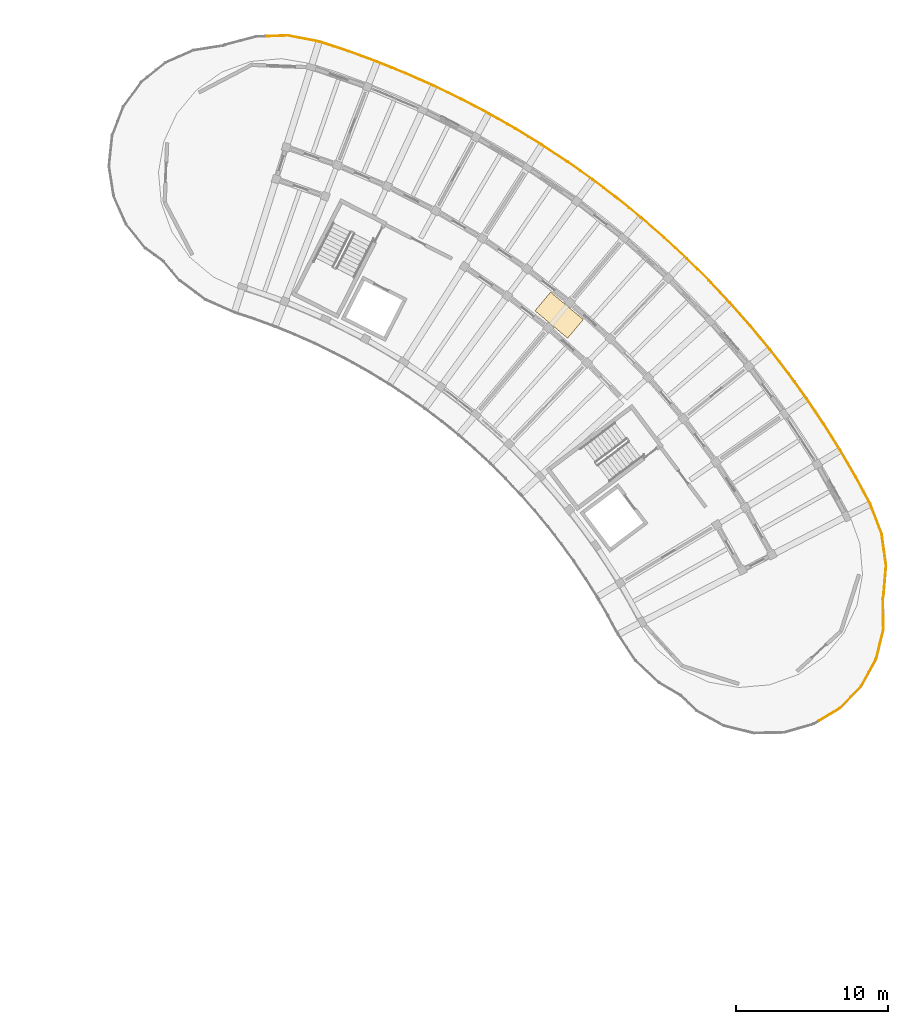
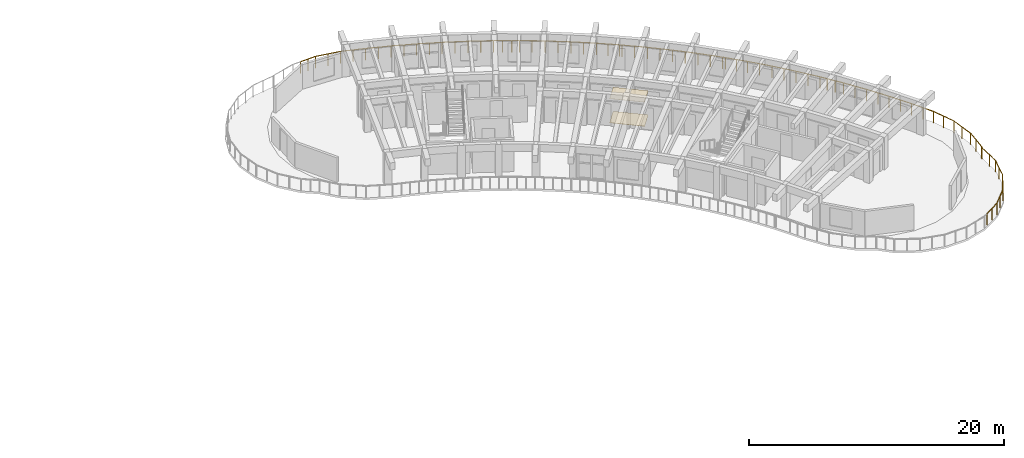
# One storey, part 36 of 36: 8 railings, 2 coverings.
"""IFC4 building model written with IfcOpenShell, lengths in metres."""

from ifc_helpers import new_model, si_unit, direction, frame, origin, origin_2d, place, context, subcontext, project, spatial, rectangle, circle, extrude, material, layer, layer_set, type_object, element, save


model = new_model("IFC4")

# Units and contexts
model_context = context("Model", 3, precision=1e-05, world=origin(), true_north=direction((0.0, 1.0)))
body_context = subcontext(model_context, "Body", "Model", "MODEL_VIEW")
ifc_project = project(units=[si_unit("LENGTHUNIT", "METRE"), si_unit("AREAUNIT", "SQUARE_METRE"), si_unit("VOLUMEUNIT", "CUBIC_METRE"), si_unit("PLANEANGLEUNIT", "RADIAN"), si_unit("MASSUNIT", "GRAM", prefix="KILO")], contexts=[model_context])

# Site, building, storey
site_placement = place(None, origin())
site = spatial("IfcSite", under=ifc_project, at=site_placement, CompositionType="ELEMENT")
building_placement = place(site_placement, origin())
building = spatial("IfcBuilding", under=site, at=building_placement, Name="Tanwirah Colonnade Gardens", CompositionType="ELEMENT")
storey_placement = place(building_placement, frame((0.0, 0.0, 39.080078125)))
storey = spatial("IfcBuildingStorey", under=building, at=storey_placement, Name="L11", CompositionType="ELEMENT", Elevation=39.080078125)

# Railings
ifc_material_1 = material(Name="Precast concrete C40/50", Category="concrete")
railing_type = type_object("IfcRailingType", Name="BAL-EXT112", PredefinedType="BALUSTRADE", material=ifc_material_1)
railing_1_placement = place(storey_placement, frame((135.85986328125, 119.083251953125, 0.0)))
element("IfcRailing", 1, at=railing_1_placement, inside=storey, type_object=railing_type, Name="Block B L11 Balcony Ribbon Balustrade 9", PredefinedType="BALUSTRADE", context=body_context, shape_type="SweptSolid", body=[
    extrude(circle(Radius=0.02392578125, at=origin_2d()), frame((0.03125, 0.0009765625, 1.09619140625), z_axis=(0.999418716474, 0.03409148225, 0.0), x_axis=(-0.03409148225, 0.999418716474, 0.0)), (0.0, 0.0, 1.0), 1.298095703125),
    extrude(circle(Radius=0.02392578125, at=origin_2d()), frame((1.390625, 0.04052734375, 1.09619140625), z_axis=(0.981943925546, -0.18917221541, 0.0), x_axis=(0.18917221541, 0.981943925546, 0.0)), (0.0, 0.0, 1.0), 2.0283203125),
    extrude(circle(Radius=0.02392578125, at=origin_2d()), frame((3.442626953125, -0.35888671875, 1.09619140625), z_axis=(0.949538943768, -0.313649157926, 0.0), x_axis=(0.313649157926, 0.949538943768, 0.0)), (0.0, 0.0, 1.0), 1.955078125),
    extrude(circle(Radius=0.02392578125, at=origin_2d()), frame((5.35791015625, -0.99267578125, 1.09619140625), z_axis=(0.938723993457, -0.344669789956, 0.0), x_axis=(0.344669789956, 0.938723993457, 0.0)), (0.0, 0.0, 1.0), 1.958984375),
    extrude(circle(Radius=0.02392578125, at=origin_2d()), frame((7.25537109375, -1.6904296875, 1.09619140625), z_axis=(0.926782504393, -0.37559844189, 0.0), x_axis=(0.37559844189, 0.926782504393, 0.0)), (0.0, 0.0, 1.0), 0.947021484375),
    extrude(circle(Radius=0.02099609375, at=origin_2d()), origin(), (0.0, 0.0, 1.0), 1.069091796875),
    extrude(circle(Radius=0.02099609375, at=origin_2d()), frame((0.679931640625, 0.023193359375, 0.0)), (0.0, 0.0, 1.0), 1.069091796875),
    extrude(circle(Radius=0.02099609375, at=origin_2d()), frame((1.35986328125, 0.04638671875, 0.0)), (0.0, 0.0, 1.0), 1.069091796875),
    extrude(circle(Radius=0.02099609375, at=origin_2d()), frame((2.38623046875, -0.1513671875, 0.0)), (0.0, 0.0, 1.0), 1.069091796875),
    extrude(circle(Radius=0.02099609375, at=origin_2d()), frame((3.412841796875, -0.34912109375, 0.0)), (0.0, 0.0, 1.0), 1.069091796875),
    extrude(circle(Radius=0.02099609375, at=origin_2d()), frame((4.37060546875, -0.66552734375, 0.0)), (0.0, 0.0, 1.0), 1.069091796875),
    extrude(circle(Radius=0.02099609375, at=origin_2d()), frame((5.32861328125, -0.98193359375, 0.0)), (0.0, 0.0, 1.0), 1.069091796875),
    extrude(circle(Radius=0.02099609375, at=origin_2d()), frame((6.27734375, -1.330322265625, 0.0)), (0.0, 0.0, 1.0), 1.069091796875),
    extrude(circle(Radius=0.02099609375, at=origin_2d()), frame((7.226318359375, -1.6787109375, 0.0)), (0.0, 0.0, 1.0), 1.069091796875),
    extrude(circle(Radius=0.02099609375, at=origin_2d()), frame((8.161865234375, -2.057861328125, 0.0)), (0.0, 0.0, 1.0), 1.069091796875),
])
railing_2_placement = place(storey_placement, frame((144.021728515625, 117.025390625, 0.0)))
element("IfcRailing", 2, at=railing_2_placement, inside=storey, type_object=railing_type, Name="Block B L11 Balcony Ribbon Balustrade 10", PredefinedType="BALUSTRADE", context=body_context, shape_type="SweptSolid", body=[
    extrude(circle(Radius=0.02392578125, at=origin_2d()), frame((0.029052734375, -0.01171875, 1.09619140625), z_axis=(0.926786930723, -0.375587519816, 0.0), x_axis=(0.375587519816, 0.926786930723, 0.0)), (0.0, 0.0, 1.0), 0.949462890625),
    extrude(circle(Radius=0.02392578125, at=origin_2d()), frame((0.966552734375, -0.392822265625, 1.09619140625), z_axis=(0.913950953394, -0.405824660156, 0.0), x_axis=(0.405824660156, 0.913950953394, 0.0)), (0.0, 0.0, 1.0), 1.958740234375),
    extrude(circle(Radius=0.02392578125, at=origin_2d()), frame((2.8134765625, -1.214111328125, 1.09619140625), z_axis=(0.900055350621, -0.435775591122, 0.0), x_axis=(0.435775591122, 0.900055350621, 0.0)), (0.0, 0.0, 1.0), 1.958740234375),
    extrude(circle(Radius=0.02392578125, at=origin_2d()), frame((4.63232421875, -2.095947265625, 1.09619140625), z_axis=(0.885211446817, -0.465188880374, 0.0), x_axis=(0.465188880374, 0.885211446817, 0.0)), (0.0, 0.0, 1.0), 1.958984375),
    extrude(circle(Radius=0.02392578125, at=origin_2d()), frame((6.42138671875, -3.037109375, 1.09619140625), z_axis=(0.869433120242, -0.494050654717, 0.0), x_axis=(0.494050654717, 0.869433120242, 0.0)), (0.0, 0.0, 1.0), 1.361083984375),
    extrude(circle(Radius=0.02099609375, at=origin_2d()), origin(), (0.0, 0.0, 1.0), 1.069091796875),
    extrude(circle(Radius=0.02099609375, at=origin_2d()), frame((0.93798828125, -0.380126953125, 0.0)), (0.0, 0.0, 1.0), 1.069091796875),
    extrude(circle(Radius=0.02099609375, at=origin_2d()), frame((1.86181640625, -0.790283203125, 0.0)), (0.0, 0.0, 1.0), 1.069091796875),
    extrude(circle(Radius=0.02099609375, at=origin_2d()), frame((2.785400390625, -1.200439453125, 0.0)), (0.0, 0.0, 1.0), 1.069091796875),
    extrude(circle(Radius=0.02099609375, at=origin_2d()), frame((3.695068359375, -1.640869140625, 0.0)), (0.0, 0.0, 1.0), 1.069091796875),
    extrude(circle(Radius=0.02099609375, at=origin_2d()), frame((4.604736328125, -2.081298828125, 0.0)), (0.0, 0.0, 1.0), 1.069091796875),
    extrude(circle(Radius=0.02099609375, at=origin_2d()), frame((5.49951171875, -2.551513671875, 0.0)), (0.0, 0.0, 1.0), 1.069091796875),
    extrude(circle(Radius=0.02099609375, at=origin_2d()), frame((6.394287109375, -3.021728515625, 0.0)), (0.0, 0.0, 1.0), 1.069091796875),
    extrude(circle(Radius=0.02099609375, at=origin_2d()), frame((7.01318359375, -3.37353515625, 0.0)), (0.0, 0.0, 1.0), 1.069091796875),
    extrude(circle(Radius=0.02099609375, at=origin_2d()), frame((7.632080078125, -3.72509765625, 0.0)), (0.0, 0.0, 1.0), 1.069091796875),
])
railing_3_placement = place(storey_placement, frame((151.65380859375, 113.30029296875, 0.0)))
element("IfcRailing", 3, at=railing_3_placement, inside=storey, type_object=railing_type, Name="Block B L11 Balcony Ribbon Balustrade 11", PredefinedType="BALUSTRADE", context=body_context, shape_type="SweptSolid", body=[
    extrude(circle(Radius=0.02392578125, at=origin_2d()), frame((0.027099609375, -0.015380859375, 1.09619140625), z_axis=(0.869297002413, -0.494290118853, 0.0), x_axis=(0.494290118853, 0.869297002413, 0.0)), (0.0, 0.0, 1.0), 0.53515625),
    extrude(circle(Radius=0.02392578125, at=origin_2d()), frame((0.546142578125, -0.311767578125, 1.09619140625), z_axis=(0.852660263329, -0.522465764754, 0.0), x_axis=(0.522465764754, 0.852660263329, 0.0)), (0.0, 0.0, 1.0), 1.958984375),
    extrude(circle(Radius=0.02392578125, at=origin_2d()), frame((2.269287109375, -1.36865234375, 1.09619140625), z_axis=(0.834955682369, -0.550317188973, 0.0), x_axis=(0.550317188973, 0.834955682369, 0.0)), (0.0, 0.0, 1.0), 1.959228515625),
    extrude(circle(Radius=0.02392578125, at=origin_2d()), frame((3.956787109375, -2.482177734375, 1.09619140625), z_axis=(0.816344803849, -0.577564854565, 0.0), x_axis=(0.577564854565, 0.816344803849, 0.0)), (0.0, 0.0, 1.0), 1.958740234375),
    extrude(circle(Radius=0.02392578125, at=origin_2d()), frame((5.606201171875, -3.650390625, 1.09619140625), z_axis=(0.796880910914, -0.604136419876, 0.0), x_axis=(0.604136419876, 0.796880910914, 0.0)), (0.0, 0.0, 1.0), 1.775390625),
    extrude(circle(Radius=0.02099609375, at=origin_2d()), origin(), (0.0, 0.0, 1.0), 1.069091796875),
    extrude(circle(Radius=0.02099609375, at=origin_2d()), frame((0.51953125, -0.29541015625, 0.0)), (0.0, 0.0, 1.0), 1.069091796875),
    extrude(circle(Radius=0.02099609375, at=origin_2d()), frame((1.38134765625, -0.823486328125, 0.0)), (0.0, 0.0, 1.0), 1.069091796875),
    extrude(circle(Radius=0.02099609375, at=origin_2d()), frame((2.2431640625, -1.3515625, 0.0)), (0.0, 0.0, 1.0), 1.069091796875),
    extrude(circle(Radius=0.02099609375, at=origin_2d()), frame((3.087158203125, -1.90771484375, 0.0)), (0.0, 0.0, 1.0), 1.069091796875),
    extrude(circle(Radius=0.02099609375, at=origin_2d()), frame((3.93115234375, -2.464111328125, 0.0)), (0.0, 0.0, 1.0), 1.069091796875),
    extrude(circle(Radius=0.02099609375, at=origin_2d()), frame((4.75634765625, -3.0478515625, 0.0)), (0.0, 0.0, 1.0), 1.069091796875),
    extrude(circle(Radius=0.02099609375, at=origin_2d()), frame((5.581298828125, -3.631591796875, 0.0)), (0.0, 0.0, 1.0), 1.069091796875),
    extrude(circle(Radius=0.02099609375, at=origin_2d()), frame((6.3134765625, -4.186767578125, 0.0)), (0.0, 0.0, 1.0), 1.069091796875),
    extrude(circle(Radius=0.02099609375, at=origin_2d()), frame((7.0458984375, -4.741943359375, 0.0)), (0.0, 0.0, 1.0), 1.069091796875),
])
railing_4_placement = place(storey_placement, frame((158.69970703125, 108.558349609375, 0.0)))
element("IfcRailing", 4, at=railing_4_placement, inside=storey, type_object=railing_type, Name="Block B L11 Balcony Ribbon Balustrade 12", PredefinedType="BALUSTRADE", context=body_context, shape_type="SweptSolid", body=[
    extrude(circle(Radius=0.02392578125, at=origin_2d()), frame((0.02490234375, -0.018798828125, 1.09619140625), z_axis=(0.796956285722, -0.604036984504, 0.0), x_axis=(0.604036984504, 0.796956285722, 0.0)), (0.0, 0.0, 1.0), 0.12109375),
    extrude(circle(Radius=0.02392578125, at=origin_2d()), frame((0.17041015625, -0.130615234375, 1.09619140625), z_axis=(0.776549722569, -0.630055972417, 0.0), x_axis=(0.630055972417, 0.776549722569, 0.0)), (0.0, 0.0, 1.0), 1.958984375),
    extrude(circle(Radius=0.02392578125, at=origin_2d()), frame((1.73974609375, -1.405029296875, 1.09619140625), z_axis=(0.755338292497, -0.655335077565, 0.0), x_axis=(0.655335077565, 0.755338292497, 0.0)), (0.0, 0.0, 1.0), 1.958984375),
    extrude(circle(Radius=0.02392578125, at=origin_2d()), frame((3.265869140625, -2.73046875, 1.09619140625), z_axis=(0.733352454033, -0.679848643569, 0.0), x_axis=(0.679848643569, 0.733352454033, 0.0)), (0.0, 0.0, 1.0), 1.958984375),
    extrude(circle(Radius=0.02392578125, at=origin_2d()), frame((4.74755859375, -4.10546875, 1.09619140625), z_axis=(0.710480209462, -0.703717181801, 0.0), x_axis=(0.703717181801, 0.710480209462, 0.0)), (0.0, 0.0, 1.0), 1.958984375),
    extrude(circle(Radius=0.02392578125, at=origin_2d()), frame((6.18310546875, -5.52880859375, 1.09619140625), z_axis=(0.687245165246, -0.72642555217, 0.0), x_axis=(0.72642555217, 0.687245165246, 0.0)), (0.0, 0.0, 1.0), 0.16796875),
    extrude(circle(Radius=0.02099609375, at=origin_2d()), origin(), (0.0, 0.0, 1.0), 1.069091796875),
    extrude(circle(Radius=0.02099609375, at=origin_2d()), frame((0.146240234375, -0.11083984375, 0.0)), (0.0, 0.0, 1.0), 1.069091796875),
    extrude(circle(Radius=0.02099609375, at=origin_2d()), frame((0.93115234375, -0.74755859375, 0.0)), (0.0, 0.0, 1.0), 1.069091796875),
    extrude(circle(Radius=0.02099609375, at=origin_2d()), frame((1.716064453125, -1.384521484375, 0.0)), (0.0, 0.0, 1.0), 1.069091796875),
    extrude(circle(Radius=0.02099609375, at=origin_2d()), frame((2.4794921875, -2.046875, 0.0)), (0.0, 0.0, 1.0), 1.069091796875),
    extrude(circle(Radius=0.02099609375, at=origin_2d()), frame((3.242919921875, -2.709228515625, 0.0)), (0.0, 0.0, 1.0), 1.069091796875),
    extrude(circle(Radius=0.02099609375, at=origin_2d()), frame((3.984130859375, -3.396484375, 0.0)), (0.0, 0.0, 1.0), 1.069091796875),
    extrude(circle(Radius=0.02099609375, at=origin_2d()), frame((4.725341796875, -4.08349609375, 0.0)), (0.0, 0.0, 1.0), 1.069091796875),
    extrude(circle(Radius=0.02099609375, at=origin_2d()), frame((5.443359375, -4.794921875, 0.0)), (0.0, 0.0, 1.0), 1.069091796875),
    extrude(circle(Radius=0.02099609375, at=origin_2d()), frame((6.16162109375, -5.506103515625, 0.0)), (0.0, 0.0, 1.0), 1.069091796875),
    extrude(circle(Radius=0.02099609375, at=origin_2d()), frame((6.320068359375, -5.673583984375, 0.0)), (0.0, 0.0, 1.0), 1.069091796875),
])
railing_5_placement = place(storey_placement, frame((165.019775390625, 102.884765625, 0.0)))
element("IfcRailing", 5, at=railing_5_placement, inside=storey, type_object=railing_type, Name="Block B L11 Balcony Ribbon Balustrade 13", PredefinedType="BALUSTRADE", context=body_context, shape_type="SweptSolid", body=[
    extrude(circle(Radius=0.02392578125, at=origin_2d()), frame((0.021484375, -0.022705078125, 1.09619140625), z_axis=(0.686923692907, -0.726729550881, 0.0), x_axis=(0.726729550881, 0.686923692907, 0.0)), (0.0, 0.0, 1.0), 1.728515625),
    extrude(circle(Radius=0.02392578125, at=origin_2d()), frame((1.2509765625, -1.324951171875, 1.09619140625), z_axis=(0.662607760508, -0.748966591854, 0.0), x_axis=(0.748966591854, 0.662607760508, 0.0)), (0.0, 0.0, 1.0), 1.958740234375),
    extrude(circle(Radius=0.02392578125, at=origin_2d()), frame((2.589599609375, -2.839599609375, 1.09619140625), z_axis=(0.637555355491, -0.770404548717, 0.0), x_axis=(0.770404548717, 0.637555355491, 0.0)), (0.0, 0.0, 1.0), 1.958984375),
    extrude(circle(Radius=0.02392578125, at=origin_2d()), frame((3.87744140625, -4.3974609375, 1.09619140625), z_axis=(0.611856467608, -0.790968812942, 0.0), x_axis=(0.790968812942, 0.611856467608, 0.0)), (0.0, 0.0, 1.0), 1.958984375),
    extrude(circle(Radius=0.02392578125, at=origin_2d()), frame((5.113525390625, -5.9970703125, 1.09619140625), z_axis=(0.585421423601, -0.810729151313, 0.0), x_axis=(0.810729151313, 0.585421423601, 0.0)), (0.0, 0.0, 1.0), 0.582275390625),
    extrude(circle(Radius=0.02099609375, at=origin_2d()), origin(), (0.0, 0.0, 1.0), 1.069091796875),
    extrude(circle(Radius=0.02099609375, at=origin_2d()), frame((0.615234375, -0.65087890625, 0.0)), (0.0, 0.0, 1.0), 1.069091796875),
    extrude(circle(Radius=0.02099609375, at=origin_2d()), frame((1.230224609375, -1.301513671875, 0.0)), (0.0, 0.0, 1.0), 1.069091796875),
    extrude(circle(Radius=0.02099609375, at=origin_2d()), frame((1.89990234375, -2.05859375, 0.0)), (0.0, 0.0, 1.0), 1.069091796875),
    extrude(circle(Radius=0.02099609375, at=origin_2d()), frame((2.569580078125, -2.8154296875, 0.0)), (0.0, 0.0, 1.0), 1.069091796875),
    extrude(circle(Radius=0.02099609375, at=origin_2d()), frame((3.2138671875, -3.59423828125, 0.0)), (0.0, 0.0, 1.0), 1.069091796875),
    extrude(circle(Radius=0.02099609375, at=origin_2d()), frame((3.8583984375, -4.372802734375, 0.0)), (0.0, 0.0, 1.0), 1.069091796875),
    extrude(circle(Radius=0.02099609375, at=origin_2d()), frame((4.476806640625, -5.17236328125, 0.0)), (0.0, 0.0, 1.0), 1.069091796875),
    extrude(circle(Radius=0.02099609375, at=origin_2d()), frame((5.09521484375, -5.9716796875, 0.0)), (0.0, 0.0, 1.0), 1.069091796875),
    extrude(circle(Radius=0.02099609375, at=origin_2d()), frame((5.47265625, -6.494384765625, 0.0)), (0.0, 0.0, 1.0), 1.069091796875),
])
railing_6_placement = place(storey_placement, frame((170.492431640625, 96.390380859375, 0.0)))
element("IfcRailing", 6, at=railing_6_placement, inside=storey, type_object=railing_type, Name="Block B L11 Balcony Ribbon Balustrade 14", PredefinedType="BALUSTRADE", context=body_context, shape_type="SweptSolid", body=[
    extrude(circle(Radius=0.02392578125, at=origin_2d()), frame((0.018310546875, -0.025390625, 1.09619140625), z_axis=(0.585490553844, -0.8106792284, 0.0), x_axis=(0.8106792284, 0.585490553844, 0.0)), (0.0, 0.0, 1.0), 1.314453125),
    extrude(circle(Radius=0.02392578125, at=origin_2d()), frame((0.823486328125, -1.14208984375, 1.09619140625), z_axis=(0.558345997542, -0.829608188863, 0.0), x_axis=(0.829608188863, 0.558345997542, 0.0)), (0.0, 0.0, 1.0), 1.958984375),
    extrude(circle(Radius=0.02392578125, at=origin_2d()), frame((1.951416015625, -2.81982421875, 1.09619140625), z_axis=(0.530812919598, -0.847489023167, 0.0), x_axis=(0.847489023167, 0.530812919598, 0.0)), (0.0, 0.0, 1.0), 1.958984375),
    extrude(circle(Radius=0.02392578125, at=origin_2d()), frame((3.0234375, -4.533447265625, 1.09619140625), z_axis=(0.502421024862, -0.864623105045, 0.0), x_axis=(0.864623105045, 0.502421024862, 0.0)), (0.0, 0.0, 1.0), 1.958984375),
    extrude(circle(Radius=0.02392578125, at=origin_2d()), frame((4.038330078125, -6.28173828125, 1.09619140625), z_axis=(0.47385229557, -0.880604339067, 0.0), x_axis=(0.880604339067, 0.47385229557, 0.0)), (0.0, 0.0, 1.0), 0.996337890625),
    extrude(circle(Radius=0.02099609375, at=origin_2d()), origin(), (0.0, 0.0, 1.0), 1.069091796875),
    extrude(circle(Radius=0.02099609375, at=origin_2d()), frame((0.403076171875, -0.55810546875, 0.0)), (0.0, 0.0, 1.0), 1.069091796875),
    extrude(circle(Radius=0.02099609375, at=origin_2d()), frame((0.80615234375, -1.1162109375, 0.0)), (0.0, 0.0, 1.0), 1.069091796875),
    extrude(circle(Radius=0.02099609375, at=origin_2d()), frame((1.37060546875, -1.95458984375, 0.0)), (0.0, 0.0, 1.0), 1.069091796875),
    extrude(circle(Radius=0.02099609375, at=origin_2d()), frame((1.934814453125, -2.793212890625, 0.0)), (0.0, 0.0, 1.0), 1.069091796875),
    extrude(circle(Radius=0.02099609375, at=origin_2d()), frame((2.47119140625, -3.64990234375, 0.0)), (0.0, 0.0, 1.0), 1.069091796875),
    extrude(circle(Radius=0.02099609375, at=origin_2d()), frame((3.0078125, -4.50634765625, 0.0)), (0.0, 0.0, 1.0), 1.069091796875),
    extrude(circle(Radius=0.02099609375, at=origin_2d()), frame((3.515625, -5.38037109375, 0.0)), (0.0, 0.0, 1.0), 1.069091796875),
    extrude(circle(Radius=0.02099609375, at=origin_2d()), frame((4.0234375, -6.254150390625, 0.0)), (0.0, 0.0, 1.0), 1.069091796875),
    extrude(circle(Radius=0.02099609375, at=origin_2d()), frame((4.525146484375, -7.1865234375, 0.0)), (0.0, 0.0, 1.0), 1.069091796875),
])
railing_7_placement = place(storey_placement, frame((175.017578125, 89.203857421875, 0.0)))
element("IfcRailing", 7, at=railing_7_placement, inside=storey, type_object=railing_type, Name="Block B L11 Balcony Ribbon Balustrade 15", PredefinedType="BALUSTRADE", context=body_context, shape_type="SweptSolid", body=[
    extrude(circle(Radius=0.02392578125, at=origin_2d()), frame((0.014892578125, -0.027587890625, 1.09619140625), z_axis=(0.473796152725, -0.880634547166, 0.0), x_axis=(0.880634547166, 0.473796152725, 0.0)), (0.0, 0.0, 1.0), 0.896484375),
    extrude(circle(Radius=0.02392578125, at=origin_2d()), frame((0.465576171875, -0.873779296875, 1.09619140625), z_axis=(0.356747891144, -0.934200696941, 0.0), x_axis=(0.934200696941, 0.356747891144, 0.0)), (0.0, 0.0, 1.0), 2.028076171875),
    extrude(circle(Radius=0.02392578125, at=origin_2d()), frame((1.20458984375, -2.82861328125, 1.09619140625), z_axis=(0.140045335647, -0.99014509238, 0.0), x_axis=(0.99014509238, 0.140045335647, 0.0)), (0.0, 0.0, 1.0), 2.024169921875),
    extrude(circle(Radius=0.02392578125, at=origin_2d()), frame((1.48974609375, -4.89501953125, 1.09619140625), z_axis=(-0.08387805951, -0.996476026371, 0.0), x_axis=(0.996476026371, -0.08387805951, 0.0)), (0.0, 0.0, 1.0), 2.0244140625),
    extrude(circle(Radius=0.02392578125, at=origin_2d()), frame((1.307861328125, -6.97314453125, 1.09619140625), z_axis=(-0.303302230784, -0.952894410101, 0.0), x_axis=(0.952894410101, -0.303302230784, 0.0)), (0.0, 0.0, 1.0), 0.039794921875),
    extrude(circle(Radius=0.02392578125, at=origin_2d()), frame((1.283203125, -7.09765625, 1.09619140625), z_axis=(0.018495666134, -0.999828940536, 0.0), x_axis=(0.999828940536, 0.018495666134, 0.0)), (0.0, 0.0, 1.0), 1.0859375),
    extrude(circle(Radius=0.02099609375, at=origin_2d()), origin(), (0.0, 0.0, 1.0), 1.069091796875),
    extrude(circle(Radius=0.02099609375, at=origin_2d()), frame((0.454345703125, -0.844482421875, 0.0)), (0.0, 0.0, 1.0), 1.069091796875),
    extrude(circle(Radius=0.02099609375, at=origin_2d()), frame((0.8271484375, -1.821044921875, 0.0)), (0.0, 0.0, 1.0), 1.069091796875),
    extrude(circle(Radius=0.02099609375, at=origin_2d()), frame((1.2001953125, -2.797607421875, 0.0)), (0.0, 0.0, 1.0), 1.069091796875),
    extrude(circle(Radius=0.02099609375, at=origin_2d()), frame((1.34619140625, -3.83056640625, 0.0)), (0.0, 0.0, 1.0), 1.069091796875),
    extrude(circle(Radius=0.02099609375, at=origin_2d()), frame((1.492431640625, -4.86376953125, 0.0)), (0.0, 0.0, 1.0), 1.069091796875),
    extrude(circle(Radius=0.02099609375, at=origin_2d()), frame((1.40478515625, -5.903564453125, 0.0)), (0.0, 0.0, 1.0), 1.069091796875),
    extrude(circle(Radius=0.02099609375, at=origin_2d()), frame((1.3173828125, -6.943359375, 0.0)), (0.0, 0.0, 1.0), 1.069091796875),
    extrude(circle(Radius=0.02099609375, at=origin_2d()), frame((1.286376953125, -7.040771484375, 0.0)), (0.0, 0.0, 1.0), 1.069091796875),
    extrude(circle(Radius=0.02099609375, at=origin_2d()), frame((1.303955078125, -8.214599609375, 0.0)), (0.0, 0.0, 1.0), 1.069091796875),
])
railing_8_placement = place(storey_placement, frame((176.321533203125, 80.9892578125, 0.0)))
element("IfcRailing", 8, at=railing_8_placement, inside=storey, type_object=railing_type, Name="Block B L11 Balcony Ribbon Balustrade 16", PredefinedType="BALUSTRADE", context=body_context, shape_type="SweptSolid", body=[
    extrude(circle(Radius=0.02392578125, at=origin_2d()), frame((0.00048828125, -0.03125, 1.09619140625), z_axis=(0.018422333733, -0.99983029441, 0.0), x_axis=(0.99983029441, 0.018422333733, 0.0)), (0.0, 0.0, 1.0), 0.812255859375),
    extrude(circle(Radius=0.02392578125, at=origin_2d()), frame((0.008544921875, -0.90478515625, 1.09619140625), z_axis=(-0.241081594371, -0.970504850506, 0.0), x_axis=(0.970504850506, -0.241081594371, 0.0)), (0.0, 0.0, 1.0), 1.95263671875),
    extrude(circle(Radius=0.02392578125, at=origin_2d()), frame((-0.48486328125, -2.857666015625, 1.09619140625), z_axis=(-0.48390347344, -0.875121379234, 0.0), x_axis=(0.875121379234, -0.48390347344, 0.0)), (0.0, 0.0, 1.0), 1.95263671875),
    extrude(circle(Radius=0.02392578125, at=origin_2d()), frame((-1.466552734375, -4.6162109375, 1.09619140625), z_axis=(-0.693962909965, -0.720010749637, 0.0), x_axis=(0.720010749637, -0.693962909965, 0.0)), (0.0, 0.0, 1.0), 1.95263671875),
    extrude(circle(Radius=0.02392578125, at=origin_2d()), frame((-2.8701171875, -6.060791015625, 1.09619140625), z_axis=(-0.856701094966, -0.515813177308, 0.0), x_axis=(0.515813177308, -0.856701094966, 0.0)), (0.0, 0.0, 1.0), 1.517333984375),
    extrude(circle(Radius=0.02099609375, at=origin_2d()), origin(), (0.0, 0.0, 1.0), 1.069091796875),
    extrude(circle(Radius=0.02099609375, at=origin_2d()), frame((0.01611328125, -0.87451171875, 0.0)), (0.0, 0.0, 1.0), 1.069091796875),
    extrude(circle(Radius=0.02099609375, at=origin_2d()), frame((-0.226806640625, -1.8525390625, 0.0)), (0.0, 0.0, 1.0), 1.069091796875),
    extrude(circle(Radius=0.02099609375, at=origin_2d()), frame((-0.4697265625, -2.830322265625, 0.0)), (0.0, 0.0, 1.0), 1.069091796875),
    extrude(circle(Radius=0.02099609375, at=origin_2d()), frame((-0.957275390625, -3.7119140625, 0.0)), (0.0, 0.0, 1.0), 1.069091796875),
    extrude(circle(Radius=0.02099609375, at=origin_2d()), frame((-1.44482421875, -4.59375, 0.0)), (0.0, 0.0, 1.0), 1.069091796875),
    extrude(circle(Radius=0.02099609375, at=origin_2d()), frame((-2.14404296875, -5.3193359375, 0.0)), (0.0, 0.0, 1.0), 1.069091796875),
    extrude(circle(Radius=0.02099609375, at=origin_2d()), frame((-2.84326171875, -6.044677734375, 0.0)), (0.0, 0.0, 1.0), 1.069091796875),
    extrude(circle(Radius=0.02099609375, at=origin_2d()), frame((-3.52001953125, -6.4521484375, 0.0)), (0.0, 0.0, 1.0), 1.069091796875),
    extrude(circle(Radius=0.02099609375, at=origin_2d()), frame((-4.19677734375, -6.859619140625, 0.0)), (0.0, 0.0, 1.0), 1.069091796875),
])

# Coverings
ifc_material_2 = material(Name="Acoustic perforated gypsum ceiling board")
ifc_layer_1 = layer(ifc_material_2, 0.014892578125)
ifc_layer_set_1 = layer_set([ifc_layer_1], Name="Acoustic perforated gypsum ceiling board")
covering_type_1 = type_object("IfcCoveringType", Name="COV-CEIL15", PredefinedType="CEILING", material=ifc_layer_set_1)
covering_1_placement = place(storey_placement, frame((155.03564453125, 100.761962890625, 2.3125), z_axis=(0.0, 0.0, 1.0), x_axis=(-0.766044443119, 0.642787609687, 0.0)))
element("IfcCovering", 9, at=covering_1_placement, inside=storey, type_object=covering_type_1, Name="Block B L11 Corridor Acoustic Ceiling", PredefinedType="CEILING", context=body_context, shape_type="SweptSolid", body=[
    extrude(rectangle(XDim=2.800048828125, YDim=1.60009765625, at=origin_2d()), origin(), (0.0, 0.0, 1.0), 0.014892578125),
])
ifc_material_3 = material(Name="Honed Abu Dhabi limestone terrazzo flooring", Category="masonry")
ifc_layer_2 = layer(ifc_material_3, 0.02001953125)
ifc_layer_set_2 = layer_set([ifc_layer_2], Name="Honed Abu Dhabi limestone terrazzo flooring")
covering_type_2 = type_object("IfcCoveringType", Name="COV-FLR20", PredefinedType="FLOORING", material=ifc_layer_set_2)
covering_2_placement = place(storey_placement, frame((155.03564453125, 100.761962890625, 0.0), z_axis=(0.0, 0.0, 1.0), x_axis=(-0.766044443119, 0.642787609687, 0.0)))
element("IfcCovering", 10, at=covering_2_placement, inside=storey, type_object=covering_type_2, Name="Block B L11 Corridor Terrazzo Flooring", PredefinedType="FLOORING", context=body_context, shape_type="SweptSolid", body=[
    extrude(rectangle(XDim=2.800048828125, YDim=1.60009765625, at=origin_2d()), origin(), (0.0, 0.0, 1.0), 0.02001953125),
])

save(model, "model.ifc")
